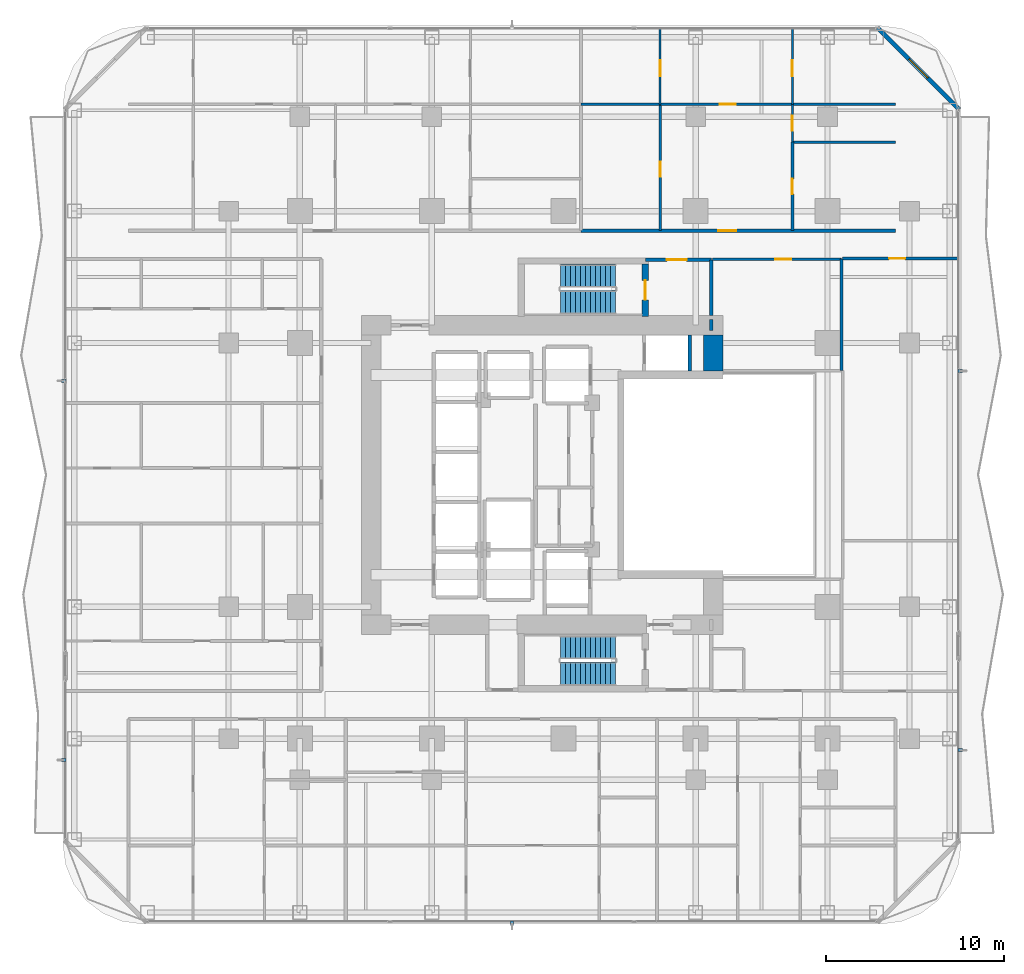
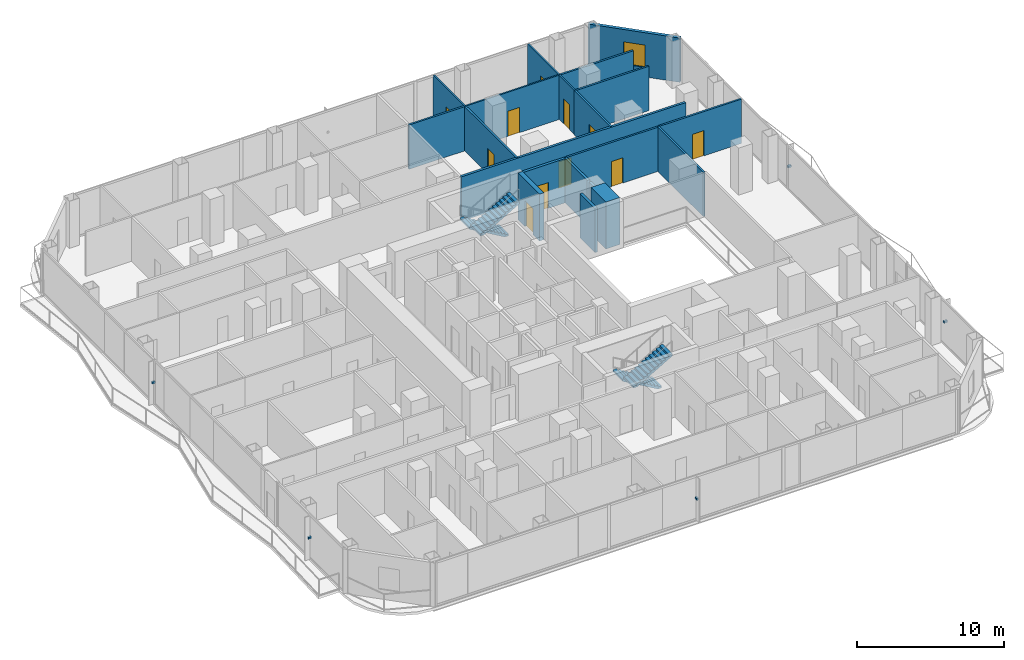
# One storey, part 24 of 30: 20 walls, 11 doors, 5 discrete accessories, 4 stair flights, 1 window, 12 openings, 2 elements without a shape of their own.
"""IFC4 building model written with IfcOpenShell, lengths in metres."""

from ifc_helpers import new_model, si_unit, direction, frame, frame_2d, origin, origin_2d, place, context, subcontext, project, spatial, polyline, rectangle, outline, extrude, material, layer, layer_set, type_object, element, fill, aggregate, save


model = new_model("IFC4")

# Units and contexts
model_context = context("Model", 3, precision=1e-05, world=origin(), true_north=direction((0.0, 1.0)))
body_context = subcontext(model_context, "Body", "Model", "MODEL_VIEW")
ifc_project = project(units=[si_unit("LENGTHUNIT", "METRE"), si_unit("AREAUNIT", "SQUARE_METRE"), si_unit("VOLUMEUNIT", "CUBIC_METRE"), si_unit("PLANEANGLEUNIT", "RADIAN"), si_unit("MASSUNIT", "GRAM", prefix="KILO")], contexts=[model_context])

# Site, building, storey
site_placement = place(None, origin())
site = spatial("IfcSite", under=ifc_project, at=site_placement, CompositionType="ELEMENT")
building_placement = place(site_placement, origin())
building = spatial("IfcBuilding", under=site, at=building_placement, Name="Khorvyn Point Tower", CompositionType="ELEMENT")
storey_placement = place(building_placement, frame((0.0, 0.0, 57.89990234375)))
storey = spatial("IfcBuildingStorey", under=building, at=storey_placement, Name="L15", CompositionType="ELEMENT", Elevation=57.89990234375)

# Wall, opening, door
ifc_material_1 = material(Name="Double acoustic gypsum on twin steel stud", Category="steel")
ifc_layer_1 = layer(ifc_material_1, 0.179931640625)
ifc_layer_set_1 = layer_set([ifc_layer_1], Name="Acoustic Double-Stud Apartment Demising Wall 180")
wall_type_1 = type_object("IfcWallType", Name="Acoustic Double-Stud Apartment Demising Wall 180", PredefinedType="PARTITIONING", material=ifc_layer_set_1)
wall_1_placement = place(storey_placement, frame((0.97412109375, 13.699951171875, 0.0), z_axis=(0.0, 0.0, 1.0), x_axis=(1.0, 0.0, 0.0)))
wall_1 = element("IfcWall", 1, at=wall_1_placement, inside=storey, type_object=wall_type_1, Name="Wall", PredefinedType="PARTITIONING", context=body_context, shape_type="SweptSolid", body=[
    extrude(rectangle(XDim=17.64599609375, YDim=0.179931640625, at=frame_2d((8.822998046875, 0.0))), origin(), (0.0, 0.0, 1.0), 3.68017578125),
])
opening_1_placement = place(wall_1_placement, frame((7.695068359375, 0.0, 0.0)))
opening_1 = element("IfcOpeningElement", 2, at=opening_1_placement, cuts=wall_1, Name="Opening ID-AP60", PredefinedType="OPENING", context=body_context, shape_type="SweptSolid", body=[
    extrude(rectangle(XDim=1.0, YDim=2.199951171875, at=frame_2d((0.5, 1.10009765625))), frame((0.0, 0.099853515625, 0.0), z_axis=(0.0, -1.0, 0.0), x_axis=(1.0, 0.0, 0.0)), (0.0, 0.0, 1.0), 0.199951171875),
])
ifc_material_2 = material(Name="Engineered hardwood fire-rated leaf", Category="wood")
door_type_1 = type_object("IfcDoorType", Name="Acoustic Solid-Core Timber Apartment Entrance Door 1000x2200", OperationType="NOTDEFINED", PredefinedType="DOOR", material=ifc_material_2)
door_1_placement = place(opening_1_placement, origin())
door_1 = element("IfcDoor", 3, at=door_1_placement, inside=storey, type_object=door_type_1, Name="Door", OperationType="SINGLE_SWING_RIGHT", OverallHeight=2.199951171875, OverallWidth=1.0, PredefinedType="DOOR", context=body_context, shape_type="SweptSolid", body=[
    extrude(rectangle(XDim=1.0, YDim=2.199951171875, at=frame_2d((0.5, 1.10009765625))), frame((0.0, 0.02490234375, 0.0), z_axis=(0.0, -1.0, 0.0), x_axis=(1.0, 0.0, 0.0)), (0.0, 0.0, 1.0), 0.050048828125),
])
fill(opening_1, door_1)

# Wall, opening, window
ifc_material_3 = material(Name="Pale anodised aluminium rainscreen on steel stud", Category="steel")
ifc_layer_2 = layer(ifc_material_3, 0.239990234375)
ifc_layer_set_2 = layer_set([ifc_layer_2], Name="Anodised Aluminium Insulated Corner Spandrel Wall 240")
wall_type_2 = type_object("IfcWallType", Name="Anodised Aluminium Insulated Corner Spandrel Wall 240", PredefinedType="SOLIDWALL", material=ifc_layer_set_2)
wall_2_placement = place(storey_placement, frame((17.607666015625, 25.09228515625, 0.0), z_axis=(0.0, 0.0, 1.0), x_axis=(0.707106781187, -0.707106781187, 0.0)))
wall_2 = element("IfcWall", 4, at=wall_2_placement, inside=storey, type_object=wall_type_2, Name="L15 Rounded Corner Wall NE", PredefinedType="SOLIDWALL", context=body_context, shape_type="SweptSolid", body=[
    extrude(rectangle(XDim=6.48388671875, YDim=0.239990234375, at=frame_2d((3.241943359375, 0.0))), origin(), (0.0, 0.0, 1.0), 3.68017578125),
])
opening_2_placement = place(wall_2_placement, frame((2.491943359375, 0.0, 0.800048828125)))
opening_2 = element("IfcOpeningElement", 5, at=opening_2_placement, cuts=wall_2, Name="Opening WN-1518", PredefinedType="OPENING", context=body_context, shape_type="SweptSolid", body=[
    extrude(rectangle(XDim=1.5, YDim=1.85009765625, at=frame_2d((0.75, 0.925048828125))), frame((0.0, 0.1298828125, 0.0), z_axis=(0.0, -1.0, 0.0), x_axis=(1.0, 0.0, 0.0)), (0.0, 0.0, 1.0), 0.260009765625),
])
ifc_material_4 = material(Name="Anodised aluminium 6063-T6 and laminated Low-E glass", Category="aluminium")
window_type = type_object("IfcWindowType", Name="Anodised Aluminium Rounded-Corner Panoramic Window 1500x1850", PartitioningType="SINGLE_PANEL", PredefinedType="WINDOW", material=ifc_material_4)
window_placement = place(opening_2_placement, origin())
window = element("IfcWindow", 6, at=window_placement, inside=storey, type_object=window_type, Name="L15 Corner Panoramic Window NE", OverallHeight=1.85009765625, OverallWidth=1.5, PartitioningType="SINGLE_PANEL", PredefinedType="WINDOW", context=body_context, shape_type="SweptSolid", body=[
    extrude(rectangle(XDim=1.5, YDim=1.85009765625, at=frame_2d((0.75, 0.925048828125))), frame((0.0, 0.030029296875, 0.0), z_axis=(0.0, -1.0, 0.0), x_axis=(1.0, 0.0, 0.0)), (0.0, 0.0, 1.0), 0.06005859375),
])
fill(opening_2, window)

# Wall, opening, door
ifc_material_5 = material(Name="Concrete C40/50", Category="concrete")
ifc_layer_3 = layer(ifc_material_5, 0.199951171875)
ifc_layer_set_3 = layer_set([ifc_layer_3], Name="Concrete C40/50 Fire-Lobby Compartment Wall 200")
wall_type_3 = type_object("IfcWallType", Name="Concrete C40/50 Fire-Lobby Compartment Wall 200", PredefinedType="SOLIDWALL", material=ifc_layer_set_3)
wall_3_placement = place(storey_placement, frame((4.580078125, 12.06005859375, 0.0), z_axis=(0.0, 0.0, 1.0), x_axis=(1.0, 0.0, 0.0)))
wall_3 = element("IfcWall", 7, at=wall_3_placement, inside=storey, type_object=wall_type_3, Name="Wall", PredefinedType="SOLIDWALL", context=body_context, shape_type="SweptSolid", body=[
    extrude(rectangle(XDim=3.699951171875, YDim=0.199951171875, at=frame_2d((1.85009765625, 0.0))), origin(), (0.0, 0.0, 1.0), 3.68017578125),
])
opening_3_placement = place(wall_3_placement, frame((1.21240234375, 0.0, 0.0)))
opening_3 = element("IfcOpeningElement", 8, at=opening_3_placement, cuts=wall_3, Name="Opening ID-FL90", PredefinedType="OPENING", context=body_context, shape_type="SweptSolid", body=[
    extrude(rectangle(XDim=1.10009765625, YDim=2.14990234375, at=frame_2d((0.550048828125, 1.074951171875))), frame((0.0, 0.10986328125, 0.0), z_axis=(0.0, -1.0, 0.0), x_axis=(1.0, 0.0, 0.0)), (0.0, 0.0, 1.0), 0.219970703125),
])
ifc_material_6 = material(Name="Galvanised powder-coated steel", Category="steel")
door_type_2 = type_object("IfcDoorType", Name="Fire-Rated Steel Lobby and Stair Door 1100x2150", OperationType="NOTDEFINED", PredefinedType="DOOR", material=ifc_material_6)
door_2_placement = place(opening_3_placement, origin())
door_2 = element("IfcDoor", 9, at=door_2_placement, inside=storey, type_object=door_type_2, Name="Door", OperationType="SINGLE_SWING_RIGHT", OverallHeight=2.14990234375, OverallWidth=1.10009765625, PredefinedType="DOOR", context=body_context, shape_type="SweptSolid", body=[
    extrude(rectangle(XDim=1.10009765625, YDim=2.14990234375, at=frame_2d((0.550048828125, 1.074951171875))), frame((0.0, 0.02490234375, 0.0), z_axis=(0.0, -1.0, 0.0), x_axis=(1.0, 0.0, 0.0)), (0.0, 0.0, 1.0), 0.050048828125),
])
fill(opening_3, door_2)

# Walls
wall_4_placement = place(storey_placement, frame((8.280029296875, 8.949951171875, 0.0), z_axis=(0.0, 0.0, 1.0), x_axis=(0.0, 1.0, 0.0)))
element("IfcWall", 10, at=wall_4_placement, inside=storey, type_object=wall_type_3, Name="Wall", PredefinedType="SOLIDWALL", context=body_context, shape_type="SweptSolid", body=[
    extrude(rectangle(XDim=3.110107421875, YDim=0.199951171875, at=frame_2d((1.55517578125, 0.0))), origin(), (0.0, 0.0, 1.0), 3.68017578125),
])
wall_5_placement = place(storey_placement, frame((8.280029296875, 8.10009765625, 0.0), z_axis=(0.0, 0.0, 1.0), x_axis=(0.0, 1.0, 0.0)))
element("IfcWall", 11, at=wall_5_placement, inside=storey, type_object=wall_type_3, Name="Wall", PredefinedType="SOLIDWALL", context=body_context, shape_type="SweptSolid", body=[
    extrude(rectangle(XDim=0.625, YDim=0.199951171875, at=frame_2d((0.3125, 0.0))), origin(), (0.0, 0.0, 1.0), 3.68017578125),
])

# Wall, opening, door
ifc_layer_4 = layer(ifc_material_5, 0.35009765625)
ifc_layer_set_4 = layer_set([ifc_layer_4], Name="Concrete C40/50 Stair Shaft Structural Wall 350")
wall_type_4 = type_object("IfcWallType", Name="Concrete C40/50 Stair Shaft Structural Wall 350", PredefinedType="SHEAR", material=ifc_layer_set_4)
wall_6_placement = place(storey_placement, frame((4.580078125, 11.824951171875, 0.0), z_axis=(0.0, 0.0, 1.0), x_axis=(0.0, -1.0, 0.0)))
wall_6 = element("IfcWall", 12, at=wall_6_placement, inside=storey, type_object=wall_type_4, Name="L15 ST-02 East Landing Door Wall", PredefinedType="SHEAR", context=body_context, shape_type="SweptSolid", body=[
    extrude(rectangle(XDim=2.925048828125, YDim=0.35009765625, at=frame_2d((1.46240234375, 0.0))), origin(), (0.0, 0.0, 1.0), 3.900146484375),
])
opening_4_placement = place(wall_6_placement, frame((0.91259765625, 0.0, 0.0)))
opening_4 = element("IfcOpeningElement", 13, at=opening_4_placement, cuts=wall_6, Name="Opening ID-FL90", PredefinedType="OPENING", context=body_context, shape_type="SweptSolid", body=[
    extrude(rectangle(XDim=1.10009765625, YDim=2.14990234375, at=frame_2d((0.550048828125, 1.074951171875))), frame((0.0, 0.18505859375, 0.0), z_axis=(0.0, -1.0, 0.0), x_axis=(1.0, 0.0, 0.0)), (0.0, 0.0, 1.0), 0.3701171875),
])
door_3_placement = place(opening_4_placement, origin())
door_3 = element("IfcDoor", 14, at=door_3_placement, inside=storey, type_object=door_type_2, Name="L15 ST-02 Smokeproof Landing Door", OperationType="SINGLE_SWING_RIGHT", OverallHeight=2.14990234375, OverallWidth=1.10009765625, PredefinedType="DOOR", context=body_context, shape_type="SweptSolid", body=[
    extrude(rectangle(XDim=1.10009765625, YDim=2.14990234375, at=frame_2d((0.550048828125, 1.074951171875))), frame((0.0, 0.02490234375, 0.0), z_axis=(0.0, -1.0, 0.0), x_axis=(1.0, 0.0, 0.0)), (0.0, 0.0, 1.0), 0.050048828125),
])
fill(opening_4, door_3)

# Walls
ifc_layer_5 = layer(ifc_material_5, 0.199951171875)
ifc_layer_set_5 = layer_set([ifc_layer_5], Name="Concrete C40/50 Structural Hoistway and Stair Shaft Wall 200")
wall_type_5 = type_object("IfcWallType", Name="Concrete C40/50 Structural Hoistway and Stair Shaft Wall 200", PredefinedType="SHEAR", material=ifc_layer_set_5)
wall_7_placement = place(storey_placement, frame((7.074951171875, 5.824951171875, 0.0), z_axis=(0.0, 0.0, 1.0), x_axis=(0.0, 1.0, 0.0)))
element("IfcWall", 15, at=wall_7_placement, inside=storey, type_object=wall_type_5, Name="Wall", PredefinedType="SHEAR", context=body_context, shape_type="SweptSolid", body=[
    extrude(rectangle(XDim=2.025146484375, YDim=0.199951171875, at=frame_2d((1.0126953125, 0.0))), origin(), (0.0, 0.0, 1.0), 3.68017578125),
])
ifc_material_7 = material(Name="Concrete C50/60", Category="concrete")
ifc_layer_6 = layer(ifc_material_7, 1.10009765625)
ifc_layer_set_6 = layer_set([ifc_layer_6], Name="Concrete C50/60 Core Shear Wall 1100")
wall_type_6 = type_object("IfcWallType", Name="Concrete C50/60 Core Shear Wall 1100", PredefinedType="SHEAR", material=ifc_layer_set_6)
wall_8_placement = place(storey_placement, frame((8.39990234375, 5.824951171875, 0.0), z_axis=(0.0, 0.0, 1.0), x_axis=(0.0, 1.0, 0.0)))
element("IfcWall", 16, at=wall_8_placement, inside=storey, type_object=wall_type_6, Name="Wall", PredefinedType="SHEAR", context=body_context, shape_type="SweptSolid", body=[
    extrude(rectangle(XDim=2.025146484375, YDim=1.10009765625, at=frame_2d((1.0126953125, 0.0))), origin(), (0.0, 0.0, 1.0), 3.900146484375),
])

# Wall, opening, door
ifc_material_8 = material(Name="Gypsum plasterboard on steel stud", Category="steel")
ifc_layer_7 = layer(ifc_material_8, 0.1201171875)
ifc_layer_set_7 = layer_set([ifc_layer_7], Name="Gypsum Acoustic Stud Room Partition Wall 120")
wall_type_7 = type_object("IfcWallType", Name="Gypsum Acoustic Stud Room Partition Wall 120", PredefinedType="PARTITIONING", material=ifc_layer_set_7)
wall_9_placement = place(storey_placement, frame((5.412109375, 20.7900390625, 0.0), z_axis=(0.0, 0.0, 1.0), x_axis=(1.0, 0.0, 0.0)))
wall_9 = element("IfcWall", 17, at=wall_9_placement, inside=storey, type_object=wall_type_7, Name="Wall", PredefinedType="PARTITIONING", context=body_context, shape_type="SweptSolid", body=[
    extrude(rectangle(XDim=7.419921875, YDim=0.1201171875, at=frame_2d((3.7099609375, 0.0))), origin(), (0.0, 0.0, 1.0), 3.68017578125),
])
opening_5_placement = place(wall_9_placement, frame((3.3486328125, 0.0, 0.0)))
opening_5 = element("IfcOpeningElement", 18, at=opening_5_placement, cuts=wall_9, Name="Opening ID-RM90", PredefinedType="OPENING", context=body_context, shape_type="SweptSolid", body=[
    extrude(rectangle(XDim=0.89990234375, YDim=2.10009765625, at=frame_2d((0.449951171875, 1.050048828125))), frame((0.0, 0.070068359375, 0.0), z_axis=(0.0, -1.0, 0.0), x_axis=(1.0, 0.0, 0.0)), (0.0, 0.0, 1.0), 0.14013671875),
])
ifc_material_9 = material(Name="Engineered oak veneer timber", Category="wood")
door_type_3 = type_object("IfcDoorType", Name="Flush Engineered Timber Room Door 900x2100", OperationType="NOTDEFINED", PredefinedType="DOOR", material=ifc_material_9)
door_4_placement = place(opening_5_placement, origin())
door_4 = element("IfcDoor", 19, at=door_4_placement, inside=storey, type_object=door_type_3, Name="Door", OperationType="SINGLE_SWING_LEFT", OverallHeight=2.10009765625, OverallWidth=0.89990234375, PredefinedType="DOOR", context=body_context, shape_type="SweptSolid", body=[
    extrude(rectangle(XDim=0.89990234375, YDim=2.10009765625, at=frame_2d((0.449951171875, 1.050048828125))), frame((0.0, 0.02490234375, 0.0), z_axis=(0.0, -1.0, 0.0), x_axis=(1.0, 0.0, 0.0)), (0.0, 0.0, 1.0), 0.050048828125),
])
fill(opening_5, door_4)

wall_10_placement = place(storey_placement, frame((5.412109375, 20.7900390625, 0.0), z_axis=(0.0, 0.0, 1.0), x_axis=(0.0, 1.0, 0.0)))
wall_10 = element("IfcWall", 20, at=wall_10_placement, inside=storey, type_object=wall_type_7, Name="Wall", PredefinedType="PARTITIONING", context=body_context, shape_type="SweptSolid", body=[
    extrude(rectangle(XDim=4.239990234375, YDim=0.1201171875, at=frame_2d((2.1201171875, 0.0))), origin(), (0.0, 0.0, 1.0), 3.68017578125),
])
opening_6_placement = place(wall_10_placement, frame((1.581298828125, 0.0, 0.0)))
opening_6 = element("IfcOpeningElement", 21, at=opening_6_placement, cuts=wall_10, Name="Opening ID-RM90", PredefinedType="OPENING", context=body_context, shape_type="SweptSolid", body=[
    extrude(rectangle(XDim=0.89990234375, YDim=2.10009765625, at=frame_2d((0.449951171875, 1.050048828125))), frame((0.0, 0.070068359375, 0.0), z_axis=(0.0, -1.0, 0.0), x_axis=(1.0, 0.0, 0.0)), (0.0, 0.0, 1.0), 0.14013671875),
])
door_5_placement = place(opening_6_placement, origin())
door_5 = element("IfcDoor", 22, at=door_5_placement, inside=storey, type_object=door_type_3, Name="Door", OperationType="SINGLE_SWING_LEFT", OverallHeight=2.10009765625, OverallWidth=0.89990234375, PredefinedType="DOOR", context=body_context, shape_type="SweptSolid", body=[
    extrude(rectangle(XDim=0.89990234375, YDim=2.10009765625, at=frame_2d((0.449951171875, 1.050048828125))), frame((0.0, 0.02490234375, 0.0), z_axis=(0.0, -1.0, 0.0), x_axis=(1.0, 0.0, 0.0)), (0.0, 0.0, 1.0), 0.050048828125),
])
fill(opening_6, door_5)

wall_11_placement = place(storey_placement, frame((12.83203125, 18.6630859375, 0.0), z_axis=(0.0, 0.0, 1.0), x_axis=(0.0, 1.0, 0.0)))
wall_11 = element("IfcWall", 23, at=wall_11_placement, inside=storey, type_object=wall_type_7, Name="Wall", PredefinedType="PARTITIONING", context=body_context, shape_type="SweptSolid", body=[
    extrude(rectangle(XDim=2.126953125, YDim=0.1201171875, at=frame_2d((1.0634765625, 0.0))), origin(), (0.0, 0.0, 1.0), 3.68017578125),
])
opening_7_placement = place(wall_11_placement, frame((0.638427734375, 0.0, 0.0)))
opening_7 = element("IfcOpeningElement", 24, at=opening_7_placement, cuts=wall_11, Name="Opening ID-WC85", PredefinedType="OPENING", context=body_context, shape_type="SweptSolid", body=[
    extrude(rectangle(XDim=0.85009765625, YDim=2.10009765625, at=frame_2d((0.425048828125, 1.050048828125))), frame((0.0, 0.070068359375, 0.0), z_axis=(0.0, -1.0, 0.0), x_axis=(1.0, 0.0, 0.0)), (0.0, 0.0, 1.0), 0.14013671875),
])
ifc_material_10 = material(Name="High-pressure laminate on moisture-resistant core", Category="wood")
door_type_4 = type_object("IfcDoorType", Name="Moisture-Resistant Accessible Washroom Door 850x2100", OperationType="NOTDEFINED", PredefinedType="DOOR", material=ifc_material_10)
door_6_placement = place(opening_7_placement, origin())
door_6 = element("IfcDoor", 25, at=door_6_placement, inside=storey, type_object=door_type_4, Name="Door", OperationType="SINGLE_SWING_LEFT", OverallHeight=2.10009765625, OverallWidth=0.85009765625, PredefinedType="DOOR", context=body_context, shape_type="SweptSolid", body=[
    extrude(rectangle(XDim=0.85009765625, YDim=2.10009765625, at=frame_2d((0.425048828125, 1.050048828125))), frame((0.0, 0.02490234375, 0.0), z_axis=(0.0, -1.0, 0.0), x_axis=(1.0, 0.0, 0.0)), (0.0, 0.0, 1.0), 0.050048828125),
])
fill(opening_7, door_6)

wall_12_placement = place(storey_placement, frame((12.83203125, 20.7900390625, 0.0), z_axis=(0.0, 0.0, 1.0), x_axis=(0.0, 1.0, 0.0)))
wall_12 = element("IfcWall", 26, at=wall_12_placement, inside=storey, type_object=wall_type_7, Name="Wall", PredefinedType="PARTITIONING", context=body_context, shape_type="SweptSolid", body=[
    extrude(rectangle(XDim=4.239990234375, YDim=0.1201171875, at=frame_2d((2.1201171875, 0.0))), origin(), (0.0, 0.0, 1.0), 3.68017578125),
])
opening_8_placement = place(wall_12_placement, frame((1.581298828125, 0.0, 0.0)))
opening_8 = element("IfcOpeningElement", 27, at=opening_8_placement, cuts=wall_12, Name="Opening ID-RM90", PredefinedType="OPENING", context=body_context, shape_type="SweptSolid", body=[
    extrude(rectangle(XDim=0.89990234375, YDim=2.10009765625, at=frame_2d((0.449951171875, 1.050048828125))), frame((0.0, 0.070068359375, 0.0), z_axis=(0.0, -1.0, 0.0), x_axis=(1.0, 0.0, 0.0)), (0.0, 0.0, 1.0), 0.14013671875),
])
door_7_placement = place(opening_8_placement, origin())
door_7 = element("IfcDoor", 28, at=door_7_placement, inside=storey, type_object=door_type_3, Name="Door", OperationType="SINGLE_SWING_RIGHT", OverallHeight=2.10009765625, OverallWidth=0.89990234375, PredefinedType="DOOR", context=body_context, shape_type="SweptSolid", body=[
    extrude(rectangle(XDim=0.89990234375, YDim=2.10009765625, at=frame_2d((0.449951171875, 1.050048828125))), frame((0.0, 0.02490234375, 0.0), z_axis=(0.0, -1.0, 0.0), x_axis=(1.0, 0.0, 0.0)), (0.0, 0.0, 1.0), 0.050048828125),
])
fill(opening_8, door_7)

ifc_material_11 = material(Name="Moisture-resistant gypsum and cement board", Category="gypsum")
ifc_layer_8 = layer(ifc_material_11, 0.14990234375)
ifc_layer_set_8 = layer_set([ifc_layer_8], Name="Moisture-Resistant Wet-Room Partition Wall 150")
wall_type_8 = type_object("IfcWallType", Name="Moisture-Resistant Wet-Room Partition Wall 150", PredefinedType="PARTITIONING", material=ifc_layer_set_8)
wall_13_placement = place(storey_placement, frame((8.360107421875, 12.10009765625, 0.0), z_axis=(0.0, 0.0, 1.0), x_axis=(1.0, 0.0, 0.0)))
wall_13 = element("IfcWall", 29, at=wall_13_placement, inside=storey, type_object=wall_type_8, Name="Wall", PredefinedType="PARTITIONING", context=body_context, shape_type="SweptSolid", body=[
    extrude(rectangle(XDim=7.219970703125, YDim=0.14990234375, at=frame_2d((3.60986328125, 0.0))), origin(), (0.0, 0.0, 1.0), 3.68017578125),
])
opening_9_placement = place(wall_13_placement, frame((3.512939453125, 0.0, 0.0)))
opening_9 = element("IfcOpeningElement", 30, at=opening_9_placement, cuts=wall_13, Name="Opening ID-RM90", PredefinedType="OPENING", context=body_context, shape_type="SweptSolid", body=[
    extrude(rectangle(XDim=0.89990234375, YDim=2.10009765625, at=frame_2d((0.449951171875, 1.050048828125))), frame((0.0, 0.0849609375, 0.0), z_axis=(0.0, -1.0, 0.0), x_axis=(1.0, 0.0, 0.0)), (0.0, 0.0, 1.0), 0.169921875),
])
door_8_placement = place(opening_9_placement, origin())
door_8 = element("IfcDoor", 31, at=door_8_placement, inside=storey, type_object=door_type_3, Name="Door", OperationType="SINGLE_SWING_RIGHT", OverallHeight=2.10009765625, OverallWidth=0.89990234375, PredefinedType="DOOR", context=body_context, shape_type="SweptSolid", body=[
    extrude(rectangle(XDim=0.89990234375, YDim=2.10009765625, at=frame_2d((0.449951171875, 1.050048828125))), frame((0.0, 0.02490234375, 0.0), z_axis=(0.0, -1.0, 0.0), x_axis=(1.0, 0.0, 0.0)), (0.0, 0.0, 1.0), 0.050048828125),
])
fill(opening_9, door_8)

wall_14_placement = place(storey_placement, frame((5.412109375, 13.699951171875, 0.0), z_axis=(0.0, 0.0, 1.0), x_axis=(0.0, 1.0, 0.0)))
wall_14 = element("IfcWall", 32, at=wall_14_placement, inside=storey, type_object=wall_type_8, Name="Wall", PredefinedType="PARTITIONING", context=body_context, shape_type="SweptSolid", body=[
    extrude(rectangle(XDim=7.090087890625, YDim=0.14990234375, at=frame_2d((3.544921875, 0.0))), origin(), (0.0, 0.0, 1.0), 3.68017578125),
])
opening_10_placement = place(wall_14_placement, frame((3.0302734375, 0.0, 0.0)))
opening_10 = element("IfcOpeningElement", 33, at=opening_10_placement, cuts=wall_14, Name="Opening ID-WC85", PredefinedType="OPENING", context=body_context, shape_type="SweptSolid", body=[
    extrude(rectangle(XDim=0.85009765625, YDim=2.10009765625, at=frame_2d((0.425048828125, 1.050048828125))), frame((0.0, 0.0849609375, 0.0), z_axis=(0.0, -1.0, 0.0), x_axis=(1.0, 0.0, 0.0)), (0.0, 0.0, 1.0), 0.169921875),
])
door_9_placement = place(opening_10_placement, origin())
door_9 = element("IfcDoor", 34, at=door_9_placement, inside=storey, type_object=door_type_4, Name="Door", OperationType="SINGLE_SWING_RIGHT", OverallHeight=2.10009765625, OverallWidth=0.85009765625, PredefinedType="DOOR", context=body_context, shape_type="SweptSolid", body=[
    extrude(rectangle(XDim=0.85009765625, YDim=2.10009765625, at=frame_2d((0.425048828125, 1.050048828125))), frame((0.0, 0.02490234375, 0.0), z_axis=(0.0, -1.0, 0.0), x_axis=(1.0, 0.0, 0.0)), (0.0, 0.0, 1.0), 0.050048828125),
])
fill(opening_10, door_9)

wall_15_placement = place(storey_placement, frame((12.83203125, 13.699951171875, 0.0), z_axis=(0.0, 0.0, 1.0), x_axis=(0.0, 1.0, 0.0)))
wall_15 = element("IfcWall", 35, at=wall_15_placement, inside=storey, type_object=wall_type_8, Name="Wall", PredefinedType="PARTITIONING", context=body_context, shape_type="SweptSolid", body=[
    extrude(rectangle(XDim=4.963134765625, YDim=0.14990234375, at=frame_2d((2.4814453125, 0.0))), origin(), (0.0, 0.0, 1.0), 3.68017578125),
])
opening_11_placement = place(wall_15_placement, frame((2.056396484375, 0.0, 0.0)))
opening_11 = element("IfcOpeningElement", 36, at=opening_11_placement, cuts=wall_15, Name="Opening ID-WC85", PredefinedType="OPENING", context=body_context, shape_type="SweptSolid", body=[
    extrude(rectangle(XDim=0.85009765625, YDim=2.10009765625, at=frame_2d((0.425048828125, 1.050048828125))), frame((0.0, 0.0849609375, 0.0), z_axis=(0.0, -1.0, 0.0), x_axis=(1.0, 0.0, 0.0)), (0.0, 0.0, 1.0), 0.169921875),
])
door_10_placement = place(opening_11_placement, origin())
door_10 = element("IfcDoor", 37, at=door_10_placement, inside=storey, type_object=door_type_4, Name="Door", OperationType="SINGLE_SWING_RIGHT", OverallHeight=2.10009765625, OverallWidth=0.85009765625, PredefinedType="DOOR", context=body_context, shape_type="SweptSolid", body=[
    extrude(rectangle(XDim=0.85009765625, YDim=2.10009765625, at=frame_2d((0.425048828125, 1.050048828125))), frame((0.0, 0.02490234375, 0.0), z_axis=(0.0, -1.0, 0.0), x_axis=(1.0, 0.0, 0.0)), (0.0, 0.0, 1.0), 0.050048828125),
])
fill(opening_11, door_10)

wall_16_placement = place(storey_placement, frame((15.64990234375, 12.139892578125, 0.0), z_axis=(0.0, 0.0, 1.0), x_axis=(1.0, 0.0, 0.0)))
wall_16 = element("IfcWall", 38, at=wall_16_placement, inside=storey, type_object=wall_type_8, Name="Wall", PredefinedType="PARTITIONING", context=body_context, shape_type="SweptSolid", body=[
    extrude(rectangle(XDim=6.47021484375, YDim=0.14990234375, at=frame_2d((3.235107421875, 0.0))), origin(), (0.0, 0.0, 1.0), 3.68017578125),
])
opening_12_placement = place(wall_16_placement, frame((2.610107421875, 0.0, 0.0)))
opening_12 = element("IfcOpeningElement", 39, at=opening_12_placement, cuts=wall_16, Name="Opening ID-RM90", PredefinedType="OPENING", context=body_context, shape_type="SweptSolid", body=[
    extrude(rectangle(XDim=0.89990234375, YDim=2.10009765625, at=frame_2d((0.449951171875, 1.050048828125))), frame((0.0, 0.0849609375, 0.0), z_axis=(0.0, -1.0, 0.0), x_axis=(1.0, 0.0, 0.0)), (0.0, 0.0, 1.0), 0.169921875),
])
door_11_placement = place(opening_12_placement, origin())
door_11 = element("IfcDoor", 40, at=door_11_placement, inside=storey, type_object=door_type_3, Name="Door", OperationType="SINGLE_SWING_RIGHT", OverallHeight=2.10009765625, OverallWidth=0.89990234375, PredefinedType="DOOR", context=body_context, shape_type="SweptSolid", body=[
    extrude(rectangle(XDim=0.89990234375, YDim=2.10009765625, at=frame_2d((0.449951171875, 1.050048828125))), frame((0.0, 0.02490234375, 0.0), z_axis=(0.0, -1.0, 0.0), x_axis=(1.0, 0.0, 0.0)), (0.0, 0.0, 1.0), 0.050048828125),
])
fill(opening_12, door_11)

# Walls
wall_17_placement = place(storey_placement, frame((15.580078125, 5.85009765625, 0.0), z_axis=(0.0, 0.0, 1.0), x_axis=(0.0, 1.0, 0.0)))
element("IfcWall", 41, at=wall_17_placement, inside=storey, type_object=wall_type_8, Name="Wall", PredefinedType="PARTITIONING", context=body_context, shape_type="SweptSolid", body=[
    extrude(rectangle(XDim=6.25, YDim=0.14990234375, at=frame_2d((3.125, 0.0))), origin(), (0.0, 0.0, 1.0), 3.68017578125),
])
wall_18_placement = place(storey_placement, frame((0.97412109375, 20.7900390625, 0.0), z_axis=(0.0, 0.0, 1.0), x_axis=(1.0, 0.0, 0.0)))
element("IfcWall", 42, at=wall_18_placement, inside=storey, type_object=wall_type_8, Name="Wall", PredefinedType="PARTITIONING", context=body_context, shape_type="SweptSolid", body=[
    extrude(rectangle(XDim=4.43798828125, YDim=0.14990234375, at=frame_2d((2.218994140625, 0.0))), origin(), (0.0, 0.0, 1.0), 3.68017578125),
])
for number, where, z_axis, x_axis, name in (
    (43, (12.83203125, 18.6630859375, 0.0), (0.0, 0.0, 1.0), (1.0, 0.0, 0.0), "Wall"),
    (44, (12.83203125, 20.7900390625, 0.0), (0.0, 0.0, 1.0), (1.0, 0.0, 0.0), "Wall"),
):
    element("IfcWall", number, at=place(storey_placement, frame(where, z_axis=z_axis, x_axis=x_axis)), inside=storey, type_object=wall_type_8, Name=name, PredefinedType="PARTITIONING", context=body_context, shape_type="SweptSolid", body=[
        extrude(rectangle(XDim=5.7880859375, YDim=0.14990234375, at=frame_2d((2.89404296875, 0.0))), origin(), (0.0, 0.0, 1.0), 3.68017578125),
    ])

# Stair, stair flights
stair_type = type_object("IfcStairType", Name="Tower Concrete C40/50 Dogleg Exit Stair", PredefinedType="HALF_TURN_STAIR", material=ifc_material_5)
stair_1_placement = place(storey_placement, origin())
stair_1 = element("IfcStair", 45, at=stair_1_placement, inside=storey, type_object=stair_type, Name="L15 Tower Smokeproof Exit Stair South", PredefinedType="HALF_TURN_STAIR")
stair_flight_type = type_object("IfcStairFlightType", Name="Tower Concrete C40/50 Stair Flight", PredefinedType="STRAIGHT", material=ifc_material_5)
stair_flight_1_placement = place(storey_placement, frame((2.89990234375, -9.679931640625, 0.0), z_axis=(0.0, 0.0, 1.0), x_axis=(-1.0, 0.0, 0.0)))
stair_flight_1 = element("IfcStairFlight", 46, at=stair_flight_1_placement, type_object=stair_flight_type, Name="ST-01 flight 1", NumberOfRisers=12, NumberOfTreads=11, PredefinedType="STRAIGHT", RiserHeight=0.1625, TreadLength=0.28, context=body_context, shape_type="SweptSolid", body=[
    extrude(outline(polyline([(0.0, 0.0), (0.0, 0.16259765625), (0.280029296875, 0.16259765625), (0.280029296875, 0.324951171875), (0.56005859375, 0.324951171875), (0.56005859375, 0.487548828125), (0.840087890625, 0.487548828125), (0.840087890625, 0.64990234375), (1.1201171875, 0.64990234375), (1.1201171875, 0.8125), (1.39990234375, 0.8125), (1.39990234375, 0.97509765625), (1.679931640625, 0.97509765625), (1.679931640625, 1.137451171875), (1.9599609375, 1.137451171875), (1.9599609375, 1.300048828125), (2.239990234375, 1.300048828125), (2.239990234375, 1.46240234375), (2.52001953125, 1.46240234375), (2.52001953125, 1.625), (2.800048828125, 1.625), (2.800048828125, 1.78759765625), (3.080078125, 1.78759765625), (3.080078125, 1.949951171875), (3.080078125, 1.6142578125), (0.298583984375, 0.0), (0.0, 0.0)])), frame((0.0, 0.66015625, 0.0), z_axis=(0.0, -1.0, 0.0), x_axis=(1.0, 0.0, 0.0)), (0.0, 0.0, 1.0), 1.320068359375),
])
stair_flight_2_placement = place(storey_placement, frame((-0.179931640625, -11.159912109375, 1.9501953125), z_axis=(0.0, 0.0, 1.0), x_axis=(1.0, 0.0, 0.0)))
stair_flight_2 = element("IfcStairFlight", 47, at=stair_flight_2_placement, type_object=stair_flight_type, Name="ST-01 flight 2", NumberOfRisers=12, NumberOfTreads=11, PredefinedType="STRAIGHT", RiserHeight=0.1625, TreadLength=0.28, context=body_context, shape_type="SweptSolid", body=[
    extrude(outline(polyline([(0.0, 0.0), (0.0, 0.16259765625), (0.280029296875, 0.16259765625), (0.280029296875, 0.324951171875), (0.56005859375, 0.324951171875), (0.56005859375, 0.487548828125), (0.840087890625, 0.487548828125), (0.840087890625, 0.64990234375), (1.1201171875, 0.64990234375), (1.1201171875, 0.8125), (1.39990234375, 0.8125), (1.39990234375, 0.97509765625), (1.679931640625, 0.97509765625), (1.679931640625, 1.137451171875), (1.9599609375, 1.137451171875), (1.9599609375, 1.300048828125), (2.239990234375, 1.300048828125), (2.239990234375, 1.46240234375), (2.52001953125, 1.46240234375), (2.52001953125, 1.625), (2.800048828125, 1.625), (2.800048828125, 1.78759765625), (3.080078125, 1.78759765625), (3.080078125, 1.949951171875), (3.080078125, 1.6142578125), (0.298583984375, 0.0), (0.0, 0.0)])), frame((0.0, 0.66015625, 0.0), z_axis=(0.0, -1.0, 0.0), x_axis=(1.0, 0.0, 0.0)), (0.0, 0.0, 1.0), 1.320068359375),
])
aggregate(stair_1, [stair_flight_1, stair_flight_2])

stair_2_placement = place(storey_placement, origin())
stair_2 = element("IfcStair", 48, at=stair_2_placement, inside=storey, type_object=stair_type, Name="L15 Tower Smokeproof Exit Stair North", PredefinedType="HALF_TURN_STAIR")
stair_flight_3_placement = place(storey_placement, frame((2.89990234375, 11.159912109375, 0.0), z_axis=(0.0, 0.0, 1.0), x_axis=(-1.0, 0.0, 0.0)))
stair_flight_3 = element("IfcStairFlight", 49, at=stair_flight_3_placement, type_object=stair_flight_type, Name="ST-02 flight 1", NumberOfRisers=12, NumberOfTreads=11, PredefinedType="STRAIGHT", RiserHeight=0.1625, TreadLength=0.28, context=body_context, shape_type="SweptSolid", body=[
    extrude(outline(polyline([(0.0, 0.0), (0.0, 0.16259765625), (0.280029296875, 0.16259765625), (0.280029296875, 0.324951171875), (0.56005859375, 0.324951171875), (0.56005859375, 0.487548828125), (0.840087890625, 0.487548828125), (0.840087890625, 0.64990234375), (1.1201171875, 0.64990234375), (1.1201171875, 0.8125), (1.39990234375, 0.8125), (1.39990234375, 0.97509765625), (1.679931640625, 0.97509765625), (1.679931640625, 1.137451171875), (1.9599609375, 1.137451171875), (1.9599609375, 1.300048828125), (2.239990234375, 1.300048828125), (2.239990234375, 1.46240234375), (2.52001953125, 1.46240234375), (2.52001953125, 1.625), (2.800048828125, 1.625), (2.800048828125, 1.78759765625), (3.080078125, 1.78759765625), (3.080078125, 1.949951171875), (3.080078125, 1.6142578125), (0.298583984375, 0.0), (0.0, 0.0)])), frame((0.0, 0.66015625, 0.0), z_axis=(0.0, -1.0, 0.0), x_axis=(1.0, 0.0, 0.0)), (0.0, 0.0, 1.0), 1.320068359375),
])
stair_flight_4_placement = place(storey_placement, frame((-0.179931640625, 9.679931640625, 1.9501953125), z_axis=(0.0, 0.0, 1.0), x_axis=(1.0, 0.0, 0.0)))
stair_flight_4 = element("IfcStairFlight", 50, at=stair_flight_4_placement, type_object=stair_flight_type, Name="ST-02 flight 2", NumberOfRisers=12, NumberOfTreads=11, PredefinedType="STRAIGHT", RiserHeight=0.1625, TreadLength=0.28, context=body_context, shape_type="SweptSolid", body=[
    extrude(outline(polyline([(0.0, 0.0), (0.0, 0.16259765625), (0.280029296875, 0.16259765625), (0.280029296875, 0.324951171875), (0.56005859375, 0.324951171875), (0.56005859375, 0.487548828125), (0.840087890625, 0.487548828125), (0.840087890625, 0.64990234375), (1.1201171875, 0.64990234375), (1.1201171875, 0.8125), (1.39990234375, 0.8125), (1.39990234375, 0.97509765625), (1.679931640625, 0.97509765625), (1.679931640625, 1.137451171875), (1.9599609375, 1.137451171875), (1.9599609375, 1.300048828125), (2.239990234375, 1.300048828125), (2.239990234375, 1.46240234375), (2.52001953125, 1.46240234375), (2.52001953125, 1.625), (2.800048828125, 1.625), (2.800048828125, 1.78759765625), (3.080078125, 1.78759765625), (3.080078125, 1.949951171875), (3.080078125, 1.6142578125), (0.298583984375, 0.0), (0.0, 0.0)])), frame((0.0, 0.66015625, 0.0), z_axis=(0.0, -1.0, 0.0), x_axis=(1.0, 0.0, 0.0)), (0.0, 0.0, 1.0), 1.320068359375),
])
aggregate(stair_2, [stair_flight_3, stair_flight_4])

# Discrete accessories
ifc_material_12 = material(Name="Stainless steel 1.4401", Category="steel")
discrete_accessory_type = type_object("IfcDiscreteAccessoryType", Name="Stainless Steel 316 Facade Fin Fixing Bracket", PredefinedType="BRACKET", material=ifc_material_12)
for number, where, z_axis, x_axis, name in (
    (51, (-2.89990234375, -25.14990234375, 1.76025390625), (0.0, 0.0, 1.0), (-1.0, 0.0, 0.0), "L15 Solar Fin Fixing Bracket 01"),
    (52, (-28.050048828125, -15.9951171875, 1.76025390625), (0.0, 0.0, 1.0), (0.0, 1.0, 0.0), "L15 Solar Fin Fixing Bracket 01"),
    (53, (-28.050048828125, 5.27490234375, 1.76025390625), (0.0, 0.0, 1.0), (0.0, 1.0, 0.0), "L15 Solar Fin Fixing Bracket 01"),
    (54, (22.25, 5.83251953125, 1.76025390625), (0.0, 0.0, 1.0), (0.0, -1.0, 0.0), "L15 Solar Fin Fixing Bracket 01"),
    (55, (22.25, -15.4375, 1.76025390625), (0.0, 0.0, 1.0), (0.0, -1.0, 0.0), "L15 Solar Fin Fixing Bracket 01"),
):
    element("IfcDiscreteAccessory", number, at=place(storey_placement, frame(where, z_axis=z_axis, x_axis=x_axis)), inside=storey, type_object=discrete_accessory_type, Name=name, PredefinedType="BRACKET", context=body_context, shape_type="SweptSolid", body=[
        extrude(rectangle(XDim=0.159912109375, YDim=0.260009765625, at=origin_2d()), origin(), (0.0, 0.0, 1.0), 0.159912109375),
    ])

save(model, "model.ifc")
